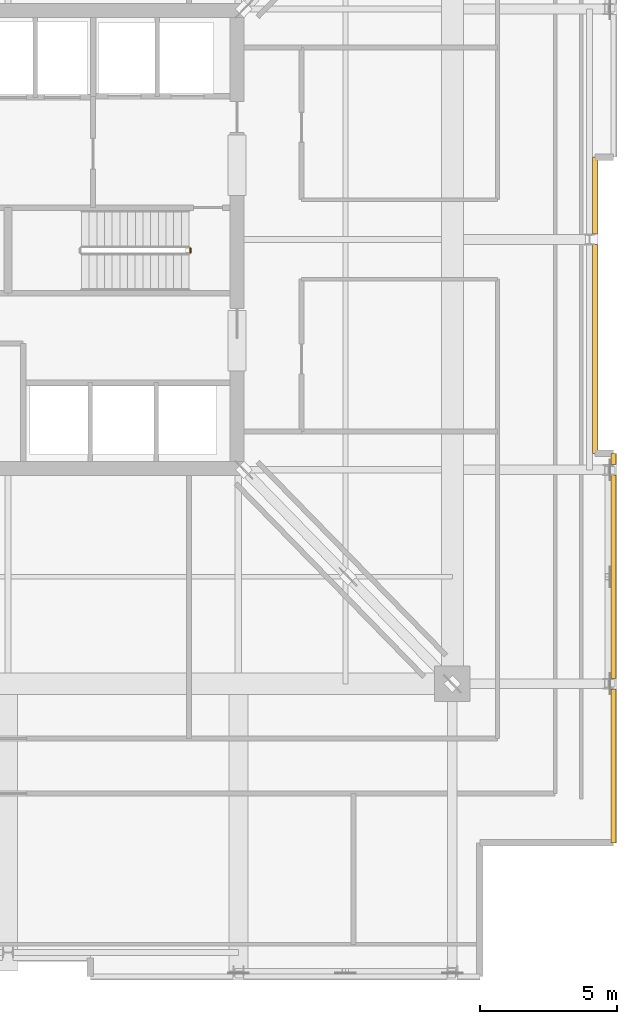
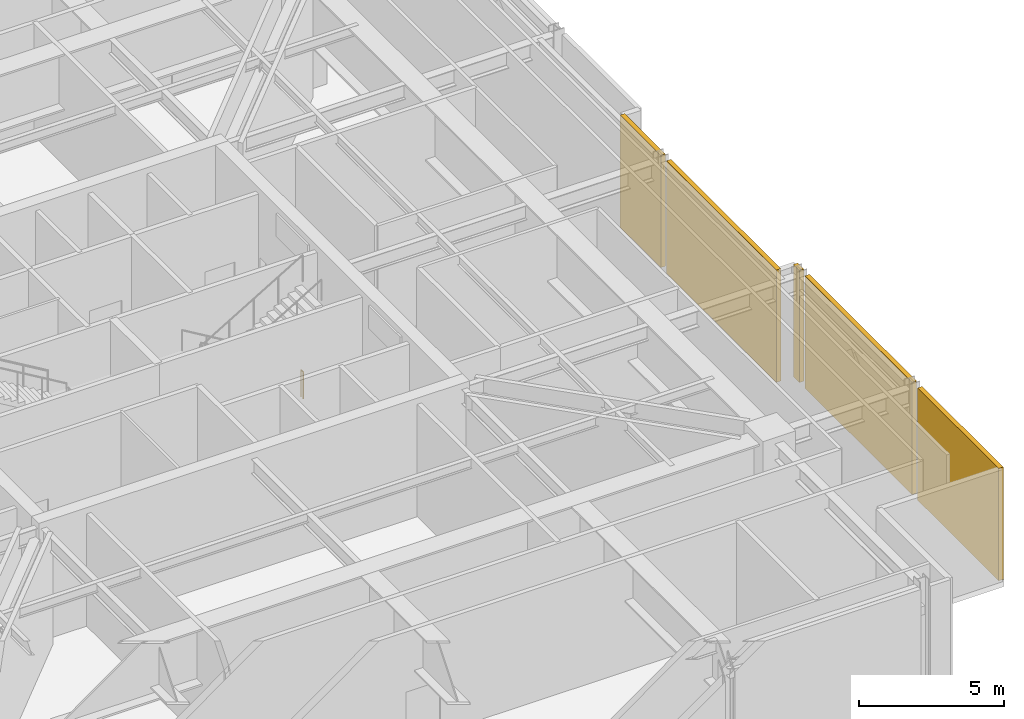
# One storey, part 12 of 13: 5 shading devices, 1 railing.
"""IFC4 building model written with IfcOpenShell, lengths in metres."""

from ifc_helpers import new_model, si_unit, direction, frame, origin, origin_2d, place, context, subcontext, project, spatial, rectangle, circle, extrude, material, layer, layer_set, type_object, element, save


model = new_model("IFC4")

# Units and contexts
model_context = context("Model", 3, precision=1e-05, world=origin(), true_north=direction((0.0, 1.0)))
body_context = subcontext(model_context, "Body", "Model", "MODEL_VIEW")
ifc_project = project(units=[si_unit("LENGTHUNIT", "METRE"), si_unit("AREAUNIT", "SQUARE_METRE"), si_unit("VOLUMEUNIT", "CUBIC_METRE"), si_unit("PLANEANGLEUNIT", "RADIAN"), si_unit("MASSUNIT", "GRAM", prefix="KILO")], contexts=[model_context])

# Site, building, storey
site_placement = place(None, origin())
site = spatial("IfcSite", under=ifc_project, at=site_placement, CompositionType="ELEMENT")
building_placement = place(site_placement, origin())
building = spatial("IfcBuilding", under=site, at=building_placement, Name="Drelvath Grand Hotel", CompositionType="ELEMENT")
storey_placement = place(building_placement, frame((0.0, 0.0, 200.10009765625)))
storey = spatial("IfcBuildingStorey", under=building, at=storey_placement, Name="L52", CompositionType="ELEMENT", Elevation=200.10009765625)

# Railing
ifc_material_1 = material(Name="Painted Steel S275", Category="steel")
railing_type = type_object("IfcRailingType", Name="Core Stair Well Guardrail 1100", PredefinedType="GUARDRAIL", material=ifc_material_1)
railing_placement = place(storey_placement, frame((6.64990234375, 26.679931640625, 0.0)))
element("IfcRailing", 1, at=railing_placement, inside=storey, type_object=railing_type, Name="L52 ST-2 stair guard 4", PredefinedType="GUARDRAIL", context=body_context, shape_type="SweptSolid", body=[
    extrude(circle(Radius=0.02392578125, at=origin_2d()), frame((0.0, 0.0, 1.1259765625), z_axis=(0.0, -1.0, 0.0), x_axis=(1.0, 0.0, 0.0)), (0.0, 0.0, 1.0), 0.159912109375),
    extrude(circle(Radius=0.02099609375, at=origin_2d()), origin(), (0.0, 0.0, 1.0), 1.101806640625),
    extrude(circle(Radius=0.02099609375, at=origin_2d()), frame((0.0, -0.159912109375, 0.0)), (0.0, 0.0, 1.0), 1.101806640625),
])

# Shading devices
ifc_material_2 = material(Name="Pale-Metal Anodised Aluminium Louvre", Category="aluminium")
ifc_layer = layer(ifc_material_2, 0.179931640625)
ifc_layer_set = layer_set([ifc_layer], Name="Pale-Metal Anodised Aluminium Louvre")
shading_device_type = type_object("IfcShadingDeviceType", Name="Mechanical Acoustic Weather Louvre Pale-Metal 180", PredefinedType="USERDEFINED", material=ifc_layer_set)
shading_device_1_placement = place(storey_placement, frame((21.39990234375, 23.004150390625, 0.0), z_axis=(0.0, 0.0, 1.0), x_axis=(0.0, 1.0, 0.0)))
element("IfcShadingDevice", 2, at=shading_device_1_placement, inside=storey, type_object=shading_device_type, Name="L52 Mechanical Plant Acoustic Louvre EM-1", ObjectType="LOUVRE", PredefinedType="USERDEFINED", context=body_context, shape_type="SweptSolid", body=[
    extrude(rectangle(XDim=7.6083984375, YDim=0.179931640625, at=origin_2d()), origin(), (0.0, 0.0, 1.0), 4.739990234375),
])
shading_device_2_placement = place(storey_placement, frame((21.39990234375, 28.595703125, 0.0), z_axis=(0.0, 0.0, 1.0), x_axis=(0.0, 1.0, 0.0)))
element("IfcShadingDevice", 3, at=shading_device_2_placement, inside=storey, type_object=shading_device_type, Name="L52 Mechanical Plant Acoustic Louvre EM-2", ObjectType="LOUVRE", PredefinedType="USERDEFINED", context=body_context, shape_type="SweptSolid", body=[
    extrude(rectangle(XDim=2.808349609375, YDim=0.179931640625, at=origin_2d()), origin(), (0.0, 0.0, 1.0), 4.739990234375),
])
shading_device_3_placement = place(storey_placement, frame((22.080078125, 7.80419921875, 0.0), z_axis=(0.0, 0.0, 1.0), x_axis=(0.0, 1.0, 0.0)))
element("IfcShadingDevice", 4, at=shading_device_3_placement, inside=storey, type_object=shading_device_type, Name="L52 Mechanical Plant Acoustic Louvre ES-1", ObjectType="LOUVRE", PredefinedType="USERDEFINED", context=body_context, shape_type="SweptSolid", body=[
    extrude(rectangle(XDim=5.6083984375, YDim=0.179931640625, at=origin_2d()), origin(), (0.0, 0.0, 1.0), 4.739990234375),
])
shading_device_4_placement = place(storey_placement, frame((22.080078125, 14.7001953125, 0.0), z_axis=(0.0, 0.0, 1.0), x_axis=(0.0, 1.0, 0.0)))
element("IfcShadingDevice", 5, at=shading_device_4_placement, inside=storey, type_object=shading_device_type, Name="L52 Mechanical Plant Acoustic Louvre ES-2", ObjectType="LOUVRE", PredefinedType="USERDEFINED", context=body_context, shape_type="SweptSolid", body=[
    extrude(rectangle(XDim=7.416748046875, YDim=0.179931640625, at=origin_2d()), origin(), (0.0, 0.0, 1.0), 4.739990234375),
])
shading_device_5_placement = place(storey_placement, frame((22.080078125, 18.995849609375, 0.0), z_axis=(0.0, 0.0, 1.0), x_axis=(0.0, 1.0, 0.0)))
element("IfcShadingDevice", 6, at=shading_device_5_placement, inside=storey, type_object=shading_device_type, Name="L52 Mechanical Plant Acoustic Louvre ES-3", ObjectType="LOUVRE", PredefinedType="USERDEFINED", context=body_context, shape_type="SweptSolid", body=[
    extrude(rectangle(XDim=0.408203125, YDim=0.179931640625, at=origin_2d()), origin(), (0.0, 0.0, 1.0), 4.739990234375),
])

save(model, "model.ifc")
